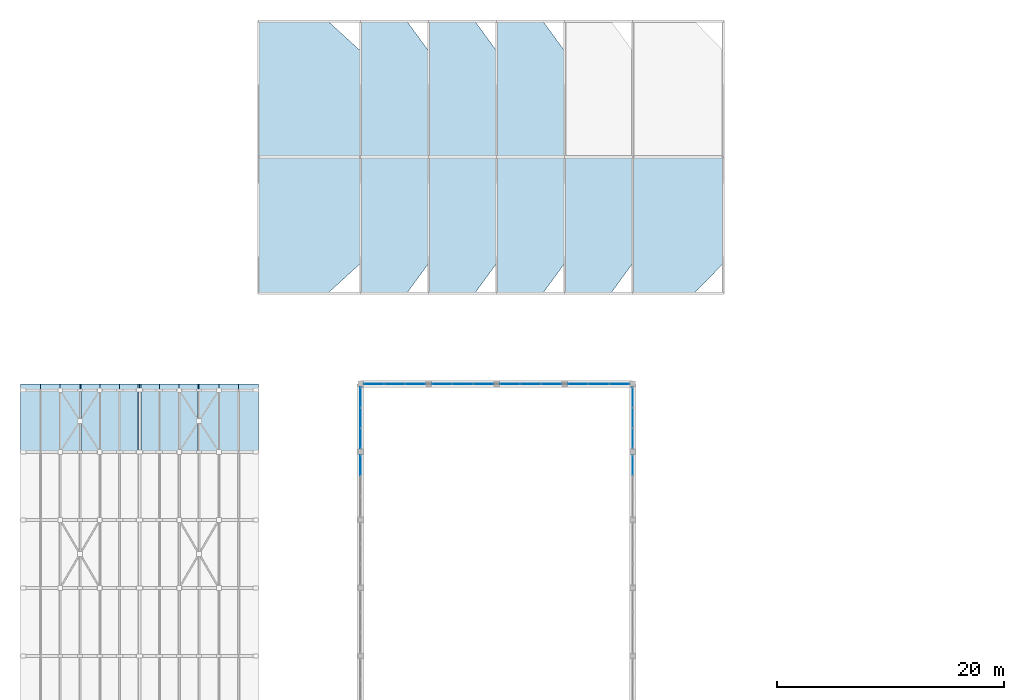
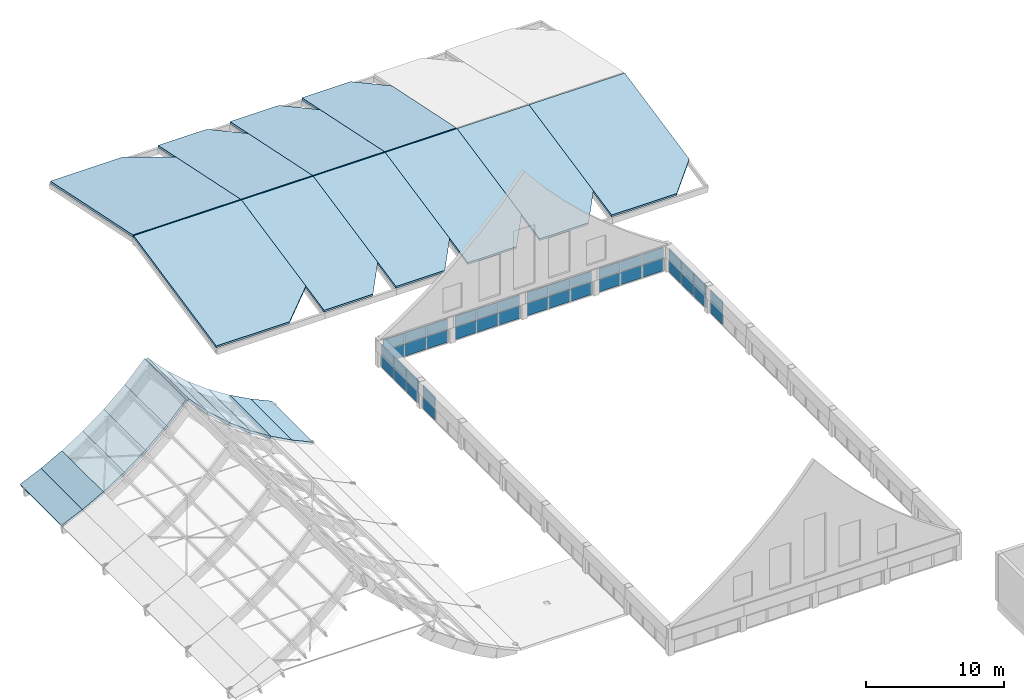
# One storey, part 29 of 45: 40 plates, 22 slabs, 8 elements without a shape of their own.
"""IFC4 building model written with IfcOpenShell, lengths in metres."""

from ifc_helpers import new_model, si_unit, direction, frame, origin, origin_2d, place, context, subcontext, project, spatial, polyline, rectangle, outline, extrude, material, layer, layer_set, type_object, element, aggregate, save


model = new_model("IFC4")

# Units and contexts
model_context = context("Model", 3, precision=1e-05, world=origin(), true_north=direction((0.0, 1.0)))
body_context = subcontext(model_context, "Body", "Model", "MODEL_VIEW")
ifc_project = project(units=[si_unit("LENGTHUNIT", "METRE"), si_unit("AREAUNIT", "SQUARE_METRE"), si_unit("VOLUMEUNIT", "CUBIC_METRE"), si_unit("PLANEANGLEUNIT", "RADIAN"), si_unit("MASSUNIT", "GRAM", prefix="KILO")], contexts=[model_context])

# Site, building, storey
site_placement = place(None, origin())
site = spatial("IfcSite", under=ifc_project, at=site_placement, CompositionType="ELEMENT")
building_placement = place(site_placement, origin())
building = spatial("IfcBuilding", under=site, at=building_placement, Name="Solvane Community Centre", CompositionType="ELEMENT")
storey_placement = place(building_placement, frame((0.0, 0.0, 13.800048828125)))
storey = spatial("IfcBuildingStorey", under=building, at=storey_placement, Name="L03", CompositionType="ELEMENT", Elevation=13.800048828125)

# Slabs
ifc_material_1 = material(Name="Cross-laminated timber C24", Category="wood")
ifc_layer_1 = layer(ifc_material_1, 0.199951171875)
ifc_layer_set_1 = layer_set([ifc_layer_1], Name="Cross-laminated timber C24")
slab_type_1 = type_object("IfcSlabType", Name="Insulated Pitched Roof Deck 200mm", PredefinedType="ROOF", material=ifc_layer_set_1)
slab_1_placement = place(storey_placement, frame((27.0, 86.0, 0.0), z_axis=(3.704487e-06, -0.203949518817, 0.978981406238), x_axis=(0.999999999993, 7.55528e-07, -3.626624e-06)))
element("IfcSlab", 1, at=slab_1_placement, inside=storey, type_object=slab_type_1, Name="Pitched Roof SLB-PRF-V5-S1", PredefinedType="ROOF", context=body_context, shape_type="SweptSolid", body=[
    extrude(outline(polyline([(0.0, 0.0), (6.120117187458006, 0.0), (9.000000000185263, 2.6853346077044704), (8.999999999977765, 12.206512728240448), (3.952128048617437e-11, 12.206512728240448), (0.0, 0.0)])), origin(), (0.0, 0.0, -1.0), 0.199951171875),
])
slab_2_placement = place(storey_placement, frame((27.0, 98.050048828125, 2.489501953125), z_axis=(3.704487e-06, 0.203949518817, 0.978981406238), x_axis=(0.999999999993, -7.55528e-07, -3.626624e-06)))
element("IfcSlab", 2, at=slab_2_placement, inside=storey, type_object=slab_type_1, Name="Pitched Roof SLB-PRF-V5-N1", PredefinedType="ROOF", context=body_context, shape_type="SweptSolid", body=[
    extrude(outline(polyline([(0.0, 0.0), (8.999999999938245, 0.0), (9.000000000145741, 9.521178120535977), (6.120117187418485, 12.206512728240448), (-3.952128048617437e-11, 12.206512728240448), (0.0, 0.0)])), origin(), (0.0, 0.0, -1.0), 0.199951171875),
])
slab_3_placement = place(storey_placement, frame((36.0, 86.0, 0.0), z_axis=(5.556731e-06, -0.203949518815, 0.97898140623), x_axis=(0.999999999985, 1.133293e-06, -5.439936e-06)))
element("IfcSlab", 3, at=slab_3_placement, inside=storey, type_object=slab_type_1, Name="Pitched Roof SLB-PRF-V5-S2", PredefinedType="ROOF", context=body_context, shape_type="SweptSolid", body=[
    extrude(outline(polyline([(0.0, 0.0), (4.0800781249370095, -8.639901498116374e-22), (6.000000000277895, 2.6853346077044704), (5.99999999996665, 12.20651272824045), (5.928192072841452e-11, 12.20651272824045), (0.0, 0.0)])), origin(), (0.0, 0.0, -1.0), 0.199951171875),
])
slab_4_placement = place(storey_placement, frame((36.0, 98.050048828125, 2.489501953125), z_axis=(5.556731e-06, 0.203949518815, 0.97898140623), x_axis=(0.999999999985, -1.133293e-06, -5.439936e-06)))
element("IfcSlab", 4, at=slab_4_placement, inside=storey, type_object=slab_type_1, Name="Pitched Roof SLB-PRF-V5-N2", PredefinedType="ROOF", context=body_context, shape_type="SweptSolid", body=[
    extrude(outline(polyline([(0.0, 0.0), (5.999999999907368, 1.2705494208814505e-21), (6.000000000218614, 9.521178120535978), (4.080078124877728, 12.20651272824045), (-5.928192072841452e-11, 12.20651272824045), (0.0, 0.0)])), origin(), (0.0, 0.0, -1.0), 0.199951171875),
])
slab_5_placement = place(storey_placement, frame((42.0, 86.0, 0.0), z_axis=(5.556731e-06, -0.203949518815, 0.97898140623), x_axis=(0.999999999985, 1.133293e-06, -5.439936e-06)))
element("IfcSlab", 5, at=slab_5_placement, inside=storey, type_object=slab_type_1, Name="Pitched Roof SLB-PRF-V5-S3", PredefinedType="ROOF", context=body_context, shape_type="SweptSolid", body=[
    extrude(outline(polyline([(0.0, 0.0), (4.0800781249370095, -8.639901498116374e-22), (6.000000000277895, 2.6853346077044704), (5.99999999996665, 12.20651272824045), (5.928192072841452e-11, 12.20651272824045), (0.0, 0.0)])), origin(), (0.0, 0.0, -1.0), 0.199951171875),
])
slab_6_placement = place(storey_placement, frame((42.0, 98.050048828125, 2.489501953125), z_axis=(5.556731e-06, 0.203949518815, 0.97898140623), x_axis=(0.999999999985, -1.133293e-06, -5.439936e-06)))
element("IfcSlab", 6, at=slab_6_placement, inside=storey, type_object=slab_type_1, Name="Pitched Roof SLB-PRF-V5-N3", PredefinedType="ROOF", context=body_context, shape_type="SweptSolid", body=[
    extrude(outline(polyline([(0.0, 0.0), (5.999999999907368, 1.2705494208814505e-21), (6.000000000218614, 9.521178120535978), (4.080078124877728, 12.20651272824045), (-5.928192072841452e-11, 12.20651272824045), (0.0, 0.0)])), origin(), (0.0, 0.0, -1.0), 0.199951171875),
])
slab_7_placement = place(storey_placement, frame((48.0, 86.0, 0.0), z_axis=(5.556731e-06, -0.203949518815, 0.97898140623), x_axis=(0.999999999985, 1.133293e-06, -5.439936e-06)))
element("IfcSlab", 7, at=slab_7_placement, inside=storey, type_object=slab_type_1, Name="Pitched Roof SLB-PRF-V5-S4", PredefinedType="ROOF", context=body_context, shape_type="SweptSolid", body=[
    extrude(outline(polyline([(0.0, 0.0), (4.0800781249370095, -8.639901498116374e-22), (6.000000000277895, 2.6853346077044704), (5.99999999996665, 12.20651272824045), (5.928192072841452e-11, 12.20651272824045), (0.0, 0.0)])), origin(), (0.0, 0.0, -1.0), 0.199951171875),
])
slab_8_placement = place(storey_placement, frame((48.0, 98.050048828125, 2.489501953125), z_axis=(5.556731e-06, 0.203949518815, 0.97898140623), x_axis=(0.999999999985, -1.133293e-06, -5.439936e-06)))
element("IfcSlab", 8, at=slab_8_placement, inside=storey, type_object=slab_type_1, Name="Pitched Roof SLB-PRF-V5-N4", PredefinedType="ROOF", context=body_context, shape_type="SweptSolid", body=[
    extrude(outline(polyline([(0.0, 0.0), (5.999999999907368, 1.2705494208814505e-21), (6.000000000218614, 9.521178120535978), (4.080078124877728, 12.20651272824045), (-5.928192072841452e-11, 12.20651272824045), (0.0, 0.0)])), origin(), (0.0, 0.0, -1.0), 0.199951171875),
])
slab_9_placement = place(storey_placement, frame((54.0, 86.0, 0.0), z_axis=(5.556731e-06, -0.203949518815, 0.97898140623), x_axis=(0.999999999985, 1.133293e-06, -5.439936e-06)))
element("IfcSlab", 9, at=slab_9_placement, inside=storey, type_object=slab_type_1, Name="Pitched Roof SLB-PRF-V5-S5", PredefinedType="ROOF", context=body_context, shape_type="SweptSolid", body=[
    extrude(outline(polyline([(0.0, 0.0), (4.0800781249370095, -8.639901498116374e-22), (6.000000000277895, 2.6853346077044704), (5.99999999996665, 12.20651272824045), (5.928192072841452e-11, 12.20651272824045), (0.0, 0.0)])), origin(), (0.0, 0.0, -1.0), 0.199951171875),
])
slab_10_placement = place(storey_placement, frame((60.0, 86.0, 0.0), z_axis=(4.167558e-06, -0.203949518873, 0.978981406225), x_axis=(0.999999999991, 8.49971e-07, -4.079962e-06)))
element("IfcSlab", 10, at=slab_10_placement, inside=storey, type_object=slab_type_1, Name="Pitched Roof SLB-PRF-V5-S6", PredefinedType="ROOF", context=body_context, shape_type="SweptSolid", body=[
    extrude(outline(polyline([(0.0, 0.0), (5.439941406202758, 0.0), (8.000000000208422, 2.685334607704467), (7.999999999974991, 12.20651272824045), (4.446447371369677e-11, 12.20651272824045), (0.0, 0.0)])), origin(), (0.0, 0.0, -1.0), 0.199951171875),
])

# Curtain wall, plates
ifc_material_2 = material(Name="Anodised bronze aluminium AW-6063 T6", Category="aluminium")
ifc_layer_2 = layer(ifc_material_2, 0.179931640625)
ifc_layer_set_2 = layer_set([ifc_layer_2], Name="Anodised bronze aluminium AW-6063 T6")
curtain_wall_type = type_object("IfcCurtainWallType", Name="Hall Translucent Upper Curtain Wall [55x22dm]", PredefinedType="NOTDEFINED", material=ifc_layer_set_2)
curtain_wall_1_placement = place(storey_placement, origin())
curtain_wall_1 = element("IfcCurtainWall", 11, at=curtain_wall_1_placement, inside=storey, type_object=curtain_wall_type, Name="Curtain Wall CW-L03-360_777-129", PredefinedType="NOTDEFINED")
ifc_material_3 = material(Name="Translucent polycarbonate panel")
ifc_layer_3 = layer(ifc_material_3, 0.028076171875)
ifc_layer_set_3 = layer_set([ifc_layer_3], Name="Translucent polycarbonate panel")
plate_type = type_object("IfcPlateType", Name="Translucent Polycarbonate Panel 28mm [55x22dm]", PredefinedType="CURTAIN_PANEL", material=ifc_layer_set_3)
plate_1_placement = place(storey_placement, frame((36.0, 76.81494140625, 0.06005859375), z_axis=(0.0, 0.0, 1.0), x_axis=(0.0, -1.0, 0.0)))
plate_1 = element("IfcPlate", 12, at=plate_1_placement, type_object=plate_type, Name="CW01-55x22 panel 1.1", PredefinedType="CURTAIN_PANEL", context=body_context, shape_type="SweptSolid", body=[
    extrude(rectangle(XDim=1.739990234375, YDim=0.028076171875, at=origin_2d()), origin(), (0.0, 0.0, 1.0), 1.10888671875),
])
plate_2_placement = place(storey_placement, frame((36.0, 76.81494140625, 1.22900390625), z_axis=(0.0, 0.0, 1.0), x_axis=(0.0, -1.0, 0.0)))
plate_2 = element("IfcPlate", 13, at=plate_2_placement, type_object=plate_type, Name="CW01-55x22 panel 1.2", PredefinedType="CURTAIN_PANEL", context=body_context, shape_type="SweptSolid", body=[
    extrude(rectangle(XDim=1.739990234375, YDim=0.028076171875, at=origin_2d()), origin(), (0.0, 0.0, 1.0), 0.89111328125),
])
plate_3_placement = place(storey_placement, frame((36.0, 75.0, 0.06005859375), z_axis=(0.0, 0.0, 1.0), x_axis=(0.0, -1.0, 0.0)))
plate_3 = element("IfcPlate", 14, at=plate_3_placement, type_object=plate_type, Name="CW01-55x22 panel 2.1", PredefinedType="CURTAIN_PANEL", context=body_context, shape_type="SweptSolid", body=[
    extrude(rectangle(XDim=1.77001953125, YDim=0.028076171875, at=origin_2d()), origin(), (0.0, 0.0, 1.0), 1.10888671875),
])
plate_4_placement = place(storey_placement, frame((36.0, 75.0, 1.22900390625), z_axis=(0.0, 0.0, 1.0), x_axis=(0.0, -1.0, 0.0)))
plate_4 = element("IfcPlate", 15, at=plate_4_placement, type_object=plate_type, Name="CW01-55x22 panel 2.2", PredefinedType="CURTAIN_PANEL", context=body_context, shape_type="SweptSolid", body=[
    extrude(rectangle(XDim=1.77001953125, YDim=0.028076171875, at=origin_2d()), origin(), (0.0, 0.0, 1.0), 0.89111328125),
])
plate_5_placement = place(storey_placement, frame((36.0, 73.18505859375, 0.06005859375), z_axis=(0.0, 0.0, 1.0), x_axis=(0.0, -1.0, 0.0)))
plate_5 = element("IfcPlate", 16, at=plate_5_placement, type_object=plate_type, Name="CW01-55x22 panel 3.1", PredefinedType="CURTAIN_PANEL", context=body_context, shape_type="SweptSolid", body=[
    extrude(rectangle(XDim=1.739990234375, YDim=0.028076171875, at=origin_2d()), origin(), (0.0, 0.0, 1.0), 1.10888671875),
])
plate_6_placement = place(storey_placement, frame((36.0, 73.18505859375, 1.22900390625), z_axis=(0.0, 0.0, 1.0), x_axis=(0.0, -1.0, 0.0)))
plate_6 = element("IfcPlate", 17, at=plate_6_placement, type_object=plate_type, Name="CW01-55x22 panel 3.2", PredefinedType="CURTAIN_PANEL", context=body_context, shape_type="SweptSolid", body=[
    extrude(rectangle(XDim=1.739990234375, YDim=0.028076171875, at=origin_2d()), origin(), (0.0, 0.0, 1.0), 0.89111328125),
])
aggregate(curtain_wall_1, [plate_1, plate_2, plate_3, plate_4, plate_5, plate_6])

curtain_wall_2_placement = place(storey_placement, origin())
curtain_wall_2 = element("IfcCurtainWall", 18, at=curtain_wall_2_placement, inside=storey, type_object=curtain_wall_type, Name="Curtain Wall CW-L03-360_717-130", PredefinedType="NOTDEFINED")
plate_7_placement = place(storey_placement, frame((36.0, 70.81494140625, 0.06005859375), z_axis=(0.0, 0.0, 1.0), x_axis=(0.0, -1.0, 0.0)))
plate_7 = element("IfcPlate", 19, at=plate_7_placement, type_object=plate_type, Name="CW01-55x22 panel 1.1", PredefinedType="CURTAIN_PANEL", context=body_context, shape_type="SweptSolid", body=[
    extrude(rectangle(XDim=1.739990234375, YDim=0.028076171875, at=origin_2d()), origin(), (0.0, 0.0, 1.0), 1.10888671875),
])
plate_8_placement = place(storey_placement, frame((36.0, 70.81494140625, 1.22900390625), z_axis=(0.0, 0.0, 1.0), x_axis=(0.0, -1.0, 0.0)))
plate_8 = element("IfcPlate", 20, at=plate_8_placement, type_object=plate_type, Name="CW01-55x22 panel 1.2", PredefinedType="CURTAIN_PANEL", context=body_context, shape_type="SweptSolid", body=[
    extrude(rectangle(XDim=1.739990234375, YDim=0.028076171875, at=origin_2d()), origin(), (0.0, 0.0, 1.0), 0.89111328125),
])
aggregate(curtain_wall_2, [plate_7, plate_8])

curtain_wall_3_placement = place(storey_placement, origin())
curtain_wall_3 = element("IfcCurtainWall", 21, at=curtain_wall_3_placement, inside=storey, type_object=curtain_wall_type, Name="Curtain Wall CW-L03-600_663-148", PredefinedType="NOTDEFINED")
plate_9_placement = place(storey_placement, frame((60.0, 70.81494140625, 0.06005859375), z_axis=(0.0, 0.0, 1.0), x_axis=(0.0, 1.0, 0.0)))
plate_9 = element("IfcPlate", 22, at=plate_9_placement, type_object=plate_type, Name="CW01-55x22 panel 3.1", PredefinedType="CURTAIN_PANEL", context=body_context, shape_type="SweptSolid", body=[
    extrude(rectangle(XDim=1.739990234375, YDim=0.028076171875, at=origin_2d()), origin(), (0.0, 0.0, 1.0), 1.10888671875),
])
plate_10_placement = place(storey_placement, frame((60.0, 70.81494140625, 1.22900390625), z_axis=(0.0, 0.0, 1.0), x_axis=(0.0, 1.0, 0.0)))
plate_10 = element("IfcPlate", 23, at=plate_10_placement, type_object=plate_type, Name="CW01-55x22 panel 3.2", PredefinedType="CURTAIN_PANEL", context=body_context, shape_type="SweptSolid", body=[
    extrude(rectangle(XDim=1.739990234375, YDim=0.028076171875, at=origin_2d()), origin(), (0.0, 0.0, 1.0), 0.89111328125),
])
aggregate(curtain_wall_3, [plate_9, plate_10])

curtain_wall_4_placement = place(storey_placement, origin())
curtain_wall_4 = element("IfcCurtainWall", 24, at=curtain_wall_4_placement, inside=storey, type_object=curtain_wall_type, Name="Curtain Wall CW-L03-600_723-149", PredefinedType="NOTDEFINED")
plate_11_placement = place(storey_placement, frame((60.0, 73.18505859375, 0.06005859375), z_axis=(0.0, 0.0, 1.0), x_axis=(0.0, 1.0, 0.0)))
plate_11 = element("IfcPlate", 25, at=plate_11_placement, type_object=plate_type, Name="CW01-55x22 panel 1.1", PredefinedType="CURTAIN_PANEL", context=body_context, shape_type="SweptSolid", body=[
    extrude(rectangle(XDim=1.739990234375, YDim=0.028076171875, at=origin_2d()), origin(), (0.0, 0.0, 1.0), 1.10888671875),
])
plate_12_placement = place(storey_placement, frame((60.0, 73.18505859375, 1.22900390625), z_axis=(0.0, 0.0, 1.0), x_axis=(0.0, 1.0, 0.0)))
plate_12 = element("IfcPlate", 26, at=plate_12_placement, type_object=plate_type, Name="CW01-55x22 panel 1.2", PredefinedType="CURTAIN_PANEL", context=body_context, shape_type="SweptSolid", body=[
    extrude(rectangle(XDim=1.739990234375, YDim=0.028076171875, at=origin_2d()), origin(), (0.0, 0.0, 1.0), 0.89111328125),
])
plate_13_placement = place(storey_placement, frame((60.0, 75.0, 0.06005859375), z_axis=(0.0, 0.0, 1.0), x_axis=(0.0, 1.0, 0.0)))
plate_13 = element("IfcPlate", 27, at=plate_13_placement, type_object=plate_type, Name="CW01-55x22 panel 2.1", PredefinedType="CURTAIN_PANEL", context=body_context, shape_type="SweptSolid", body=[
    extrude(rectangle(XDim=1.77001953125, YDim=0.028076171875, at=origin_2d()), origin(), (0.0, 0.0, 1.0), 1.10888671875),
])
plate_14_placement = place(storey_placement, frame((60.0, 75.0, 1.22900390625), z_axis=(0.0, 0.0, 1.0), x_axis=(0.0, 1.0, 0.0)))
plate_14 = element("IfcPlate", 28, at=plate_14_placement, type_object=plate_type, Name="CW01-55x22 panel 2.2", PredefinedType="CURTAIN_PANEL", context=body_context, shape_type="SweptSolid", body=[
    extrude(rectangle(XDim=1.77001953125, YDim=0.028076171875, at=origin_2d()), origin(), (0.0, 0.0, 1.0), 0.89111328125),
])
plate_15_placement = place(storey_placement, frame((60.0, 76.81494140625, 0.06005859375), z_axis=(0.0, 0.0, 1.0), x_axis=(0.0, 1.0, 0.0)))
plate_15 = element("IfcPlate", 29, at=plate_15_placement, type_object=plate_type, Name="CW01-55x22 panel 3.1", PredefinedType="CURTAIN_PANEL", context=body_context, shape_type="SweptSolid", body=[
    extrude(rectangle(XDim=1.739990234375, YDim=0.028076171875, at=origin_2d()), origin(), (0.0, 0.0, 1.0), 1.10888671875),
])
plate_16_placement = place(storey_placement, frame((60.0, 76.81494140625, 1.22900390625), z_axis=(0.0, 0.0, 1.0), x_axis=(0.0, 1.0, 0.0)))
plate_16 = element("IfcPlate", 30, at=plate_16_placement, type_object=plate_type, Name="CW01-55x22 panel 3.2", PredefinedType="CURTAIN_PANEL", context=body_context, shape_type="SweptSolid", body=[
    extrude(rectangle(XDim=1.739990234375, YDim=0.028076171875, at=origin_2d()), origin(), (0.0, 0.0, 1.0), 0.89111328125),
])
aggregate(curtain_wall_4, [plate_11, plate_12, plate_13, plate_14, plate_15, plate_16])

curtain_wall_5_placement = place(storey_placement, origin())
curtain_wall_5 = element("IfcCurtainWall", 31, at=curtain_wall_5_placement, inside=storey, type_object=curtain_wall_type, Name="Curtain Wall CW-L03-363_780-162", PredefinedType="NOTDEFINED")
plate_17_placement = place(storey_placement, frame((37.18505859375, 78.0, 0.06005859375), z_axis=(0.0, 0.0, 1.0), x_axis=(1.0, 0.0, 0.0)))
plate_17 = element("IfcPlate", 32, at=plate_17_placement, type_object=plate_type, Name="CW01-55x22 panel 1.1", PredefinedType="CURTAIN_PANEL", context=body_context, shape_type="SweptSolid", body=[
    extrude(rectangle(XDim=1.739990234375, YDim=0.028076171875, at=origin_2d()), origin(), (0.0, 0.0, 1.0), 1.10888671875),
])
plate_18_placement = place(storey_placement, frame((37.18505859375, 78.0, 1.22900390625), z_axis=(0.0, 0.0, 1.0), x_axis=(1.0, 0.0, 0.0)))
plate_18 = element("IfcPlate", 33, at=plate_18_placement, type_object=plate_type, Name="CW01-55x22 panel 1.2", PredefinedType="CURTAIN_PANEL", context=body_context, shape_type="SweptSolid", body=[
    extrude(rectangle(XDim=1.739990234375, YDim=0.028076171875, at=origin_2d()), origin(), (0.0, 0.0, 1.0), 0.89111328125),
])
plate_19_placement = place(storey_placement, frame((39.0, 78.0, 0.06005859375), z_axis=(0.0, 0.0, 1.0), x_axis=(1.0, 0.0, 0.0)))
plate_19 = element("IfcPlate", 34, at=plate_19_placement, type_object=plate_type, Name="CW01-55x22 panel 2.1", PredefinedType="CURTAIN_PANEL", context=body_context, shape_type="SweptSolid", body=[
    extrude(rectangle(XDim=1.77001953125, YDim=0.028076171875, at=origin_2d()), origin(), (0.0, 0.0, 1.0), 1.10888671875),
])
plate_20_placement = place(storey_placement, frame((39.0, 78.0, 1.22900390625), z_axis=(0.0, 0.0, 1.0), x_axis=(1.0, 0.0, 0.0)))
plate_20 = element("IfcPlate", 35, at=plate_20_placement, type_object=plate_type, Name="CW01-55x22 panel 2.2", PredefinedType="CURTAIN_PANEL", context=body_context, shape_type="SweptSolid", body=[
    extrude(rectangle(XDim=1.77001953125, YDim=0.028076171875, at=origin_2d()), origin(), (0.0, 0.0, 1.0), 0.89111328125),
])
plate_21_placement = place(storey_placement, frame((40.81494140625, 78.0, 0.06005859375), z_axis=(0.0, 0.0, 1.0), x_axis=(1.0, 0.0, 0.0)))
plate_21 = element("IfcPlate", 36, at=plate_21_placement, type_object=plate_type, Name="CW01-55x22 panel 3.1", PredefinedType="CURTAIN_PANEL", context=body_context, shape_type="SweptSolid", body=[
    extrude(rectangle(XDim=1.739990234375, YDim=0.028076171875, at=origin_2d()), origin(), (0.0, 0.0, 1.0), 1.10888671875),
])
plate_22_placement = place(storey_placement, frame((40.81494140625, 78.0, 1.22900390625), z_axis=(0.0, 0.0, 1.0), x_axis=(1.0, 0.0, 0.0)))
plate_22 = element("IfcPlate", 37, at=plate_22_placement, type_object=plate_type, Name="CW01-55x22 panel 3.2", PredefinedType="CURTAIN_PANEL", context=body_context, shape_type="SweptSolid", body=[
    extrude(rectangle(XDim=1.739990234375, YDim=0.028076171875, at=origin_2d()), origin(), (0.0, 0.0, 1.0), 0.89111328125),
])
aggregate(curtain_wall_5, [plate_17, plate_18, plate_19, plate_20, plate_21, plate_22])

curtain_wall_6_placement = place(storey_placement, origin())
curtain_wall_6 = element("IfcCurtainWall", 38, at=curtain_wall_6_placement, inside=storey, type_object=curtain_wall_type, Name="Curtain Wall CW-L03-423_780-163", PredefinedType="NOTDEFINED")
plate_23_placement = place(storey_placement, frame((43.18505859375, 78.0, 0.06005859375), z_axis=(0.0, 0.0, 1.0), x_axis=(1.0, 0.0, 0.0)))
plate_23 = element("IfcPlate", 39, at=plate_23_placement, type_object=plate_type, Name="CW01-55x22 panel 1.1", PredefinedType="CURTAIN_PANEL", context=body_context, shape_type="SweptSolid", body=[
    extrude(rectangle(XDim=1.739990234375, YDim=0.028076171875, at=origin_2d()), origin(), (0.0, 0.0, 1.0), 1.10888671875),
])
plate_24_placement = place(storey_placement, frame((43.18505859375, 78.0, 1.22900390625), z_axis=(0.0, 0.0, 1.0), x_axis=(1.0, 0.0, 0.0)))
plate_24 = element("IfcPlate", 40, at=plate_24_placement, type_object=plate_type, Name="CW01-55x22 panel 1.2", PredefinedType="CURTAIN_PANEL", context=body_context, shape_type="SweptSolid", body=[
    extrude(rectangle(XDim=1.739990234375, YDim=0.028076171875, at=origin_2d()), origin(), (0.0, 0.0, 1.0), 0.89111328125),
])
plate_25_placement = place(storey_placement, frame((45.0, 78.0, 0.06005859375), z_axis=(0.0, 0.0, 1.0), x_axis=(1.0, 0.0, 0.0)))
plate_25 = element("IfcPlate", 41, at=plate_25_placement, type_object=plate_type, Name="CW01-55x22 panel 2.1", PredefinedType="CURTAIN_PANEL", context=body_context, shape_type="SweptSolid", body=[
    extrude(rectangle(XDim=1.77001953125, YDim=0.028076171875, at=origin_2d()), origin(), (0.0, 0.0, 1.0), 1.10888671875),
])
plate_26_placement = place(storey_placement, frame((45.0, 78.0, 1.22900390625), z_axis=(0.0, 0.0, 1.0), x_axis=(1.0, 0.0, 0.0)))
plate_26 = element("IfcPlate", 42, at=plate_26_placement, type_object=plate_type, Name="CW01-55x22 panel 2.2", PredefinedType="CURTAIN_PANEL", context=body_context, shape_type="SweptSolid", body=[
    extrude(rectangle(XDim=1.77001953125, YDim=0.028076171875, at=origin_2d()), origin(), (0.0, 0.0, 1.0), 0.89111328125),
])
plate_27_placement = place(storey_placement, frame((46.81494140625, 78.0, 0.06005859375), z_axis=(0.0, 0.0, 1.0), x_axis=(1.0, 0.0, 0.0)))
plate_27 = element("IfcPlate", 43, at=plate_27_placement, type_object=plate_type, Name="CW01-55x22 panel 3.1", PredefinedType="CURTAIN_PANEL", context=body_context, shape_type="SweptSolid", body=[
    extrude(rectangle(XDim=1.739990234375, YDim=0.028076171875, at=origin_2d()), origin(), (0.0, 0.0, 1.0), 1.10888671875),
])
plate_28_placement = place(storey_placement, frame((46.81494140625, 78.0, 1.22900390625), z_axis=(0.0, 0.0, 1.0), x_axis=(1.0, 0.0, 0.0)))
plate_28 = element("IfcPlate", 44, at=plate_28_placement, type_object=plate_type, Name="CW01-55x22 panel 3.2", PredefinedType="CURTAIN_PANEL", context=body_context, shape_type="SweptSolid", body=[
    extrude(rectangle(XDim=1.739990234375, YDim=0.028076171875, at=origin_2d()), origin(), (0.0, 0.0, 1.0), 0.89111328125),
])
aggregate(curtain_wall_6, [plate_23, plate_24, plate_25, plate_26, plate_27, plate_28])

curtain_wall_7_placement = place(storey_placement, origin())
curtain_wall_7 = element("IfcCurtainWall", 45, at=curtain_wall_7_placement, inside=storey, type_object=curtain_wall_type, Name="Curtain Wall CW-L03-483_780-164", PredefinedType="NOTDEFINED")
plate_29_placement = place(storey_placement, frame((49.18505859375, 78.0, 0.06005859375), z_axis=(0.0, 0.0, 1.0), x_axis=(1.0, 0.0, 0.0)))
plate_29 = element("IfcPlate", 46, at=plate_29_placement, type_object=plate_type, Name="CW01-55x22 panel 1.1", PredefinedType="CURTAIN_PANEL", context=body_context, shape_type="SweptSolid", body=[
    extrude(rectangle(XDim=1.739990234375, YDim=0.028076171875, at=origin_2d()), origin(), (0.0, 0.0, 1.0), 1.10888671875),
])
plate_30_placement = place(storey_placement, frame((49.18505859375, 78.0, 1.22900390625), z_axis=(0.0, 0.0, 1.0), x_axis=(1.0, 0.0, 0.0)))
plate_30 = element("IfcPlate", 47, at=plate_30_placement, type_object=plate_type, Name="CW01-55x22 panel 1.2", PredefinedType="CURTAIN_PANEL", context=body_context, shape_type="SweptSolid", body=[
    extrude(rectangle(XDim=1.739990234375, YDim=0.028076171875, at=origin_2d()), origin(), (0.0, 0.0, 1.0), 0.89111328125),
])
plate_31_placement = place(storey_placement, frame((51.0, 78.0, 0.06005859375), z_axis=(0.0, 0.0, 1.0), x_axis=(1.0, 0.0, 0.0)))
plate_31 = element("IfcPlate", 48, at=plate_31_placement, type_object=plate_type, Name="CW01-55x22 panel 2.1", PredefinedType="CURTAIN_PANEL", context=body_context, shape_type="SweptSolid", body=[
    extrude(rectangle(XDim=1.77001953125, YDim=0.028076171875, at=origin_2d()), origin(), (0.0, 0.0, 1.0), 1.10888671875),
])
plate_32_placement = place(storey_placement, frame((51.0, 78.0, 1.22900390625), z_axis=(0.0, 0.0, 1.0), x_axis=(1.0, 0.0, 0.0)))
plate_32 = element("IfcPlate", 49, at=plate_32_placement, type_object=plate_type, Name="CW01-55x22 panel 2.2", PredefinedType="CURTAIN_PANEL", context=body_context, shape_type="SweptSolid", body=[
    extrude(rectangle(XDim=1.77001953125, YDim=0.028076171875, at=origin_2d()), origin(), (0.0, 0.0, 1.0), 0.89111328125),
])
plate_33_placement = place(storey_placement, frame((52.81494140625, 78.0, 0.06005859375), z_axis=(0.0, 0.0, 1.0), x_axis=(1.0, 0.0, 0.0)))
plate_33 = element("IfcPlate", 50, at=plate_33_placement, type_object=plate_type, Name="CW01-55x22 panel 3.1", PredefinedType="CURTAIN_PANEL", context=body_context, shape_type="SweptSolid", body=[
    extrude(rectangle(XDim=1.739990234375, YDim=0.028076171875, at=origin_2d()), origin(), (0.0, 0.0, 1.0), 1.10888671875),
])
plate_34_placement = place(storey_placement, frame((52.81494140625, 78.0, 1.22900390625), z_axis=(0.0, 0.0, 1.0), x_axis=(1.0, 0.0, 0.0)))
plate_34 = element("IfcPlate", 51, at=plate_34_placement, type_object=plate_type, Name="CW01-55x22 panel 3.2", PredefinedType="CURTAIN_PANEL", context=body_context, shape_type="SweptSolid", body=[
    extrude(rectangle(XDim=1.739990234375, YDim=0.028076171875, at=origin_2d()), origin(), (0.0, 0.0, 1.0), 0.89111328125),
])
aggregate(curtain_wall_7, [plate_29, plate_30, plate_31, plate_32, plate_33, plate_34])

curtain_wall_8_placement = place(storey_placement, origin())
curtain_wall_8 = element("IfcCurtainWall", 52, at=curtain_wall_8_placement, inside=storey, type_object=curtain_wall_type, Name="Curtain Wall CW-L03-543_780-165", PredefinedType="NOTDEFINED")
plate_35_placement = place(storey_placement, frame((55.18505859375, 78.0, 0.06005859375), z_axis=(0.0, 0.0, 1.0), x_axis=(1.0, 0.0, 0.0)))
plate_35 = element("IfcPlate", 53, at=plate_35_placement, type_object=plate_type, Name="CW01-55x22 panel 1.1", PredefinedType="CURTAIN_PANEL", context=body_context, shape_type="SweptSolid", body=[
    extrude(rectangle(XDim=1.739990234375, YDim=0.028076171875, at=origin_2d()), origin(), (0.0, 0.0, 1.0), 1.10888671875),
])
plate_36_placement = place(storey_placement, frame((55.18505859375, 78.0, 1.22900390625), z_axis=(0.0, 0.0, 1.0), x_axis=(1.0, 0.0, 0.0)))
plate_36 = element("IfcPlate", 54, at=plate_36_placement, type_object=plate_type, Name="CW01-55x22 panel 1.2", PredefinedType="CURTAIN_PANEL", context=body_context, shape_type="SweptSolid", body=[
    extrude(rectangle(XDim=1.739990234375, YDim=0.028076171875, at=origin_2d()), origin(), (0.0, 0.0, 1.0), 0.89111328125),
])
plate_37_placement = place(storey_placement, frame((57.0, 78.0, 0.06005859375), z_axis=(0.0, 0.0, 1.0), x_axis=(1.0, 0.0, 0.0)))
plate_37 = element("IfcPlate", 55, at=plate_37_placement, type_object=plate_type, Name="CW01-55x22 panel 2.1", PredefinedType="CURTAIN_PANEL", context=body_context, shape_type="SweptSolid", body=[
    extrude(rectangle(XDim=1.77001953125, YDim=0.028076171875, at=origin_2d()), origin(), (0.0, 0.0, 1.0), 1.10888671875),
])
plate_38_placement = place(storey_placement, frame((57.0, 78.0, 1.22900390625), z_axis=(0.0, 0.0, 1.0), x_axis=(1.0, 0.0, 0.0)))
plate_38 = element("IfcPlate", 56, at=plate_38_placement, type_object=plate_type, Name="CW01-55x22 panel 2.2", PredefinedType="CURTAIN_PANEL", context=body_context, shape_type="SweptSolid", body=[
    extrude(rectangle(XDim=1.77001953125, YDim=0.028076171875, at=origin_2d()), origin(), (0.0, 0.0, 1.0), 0.89111328125),
])
plate_39_placement = place(storey_placement, frame((58.81494140625, 78.0, 0.06005859375), z_axis=(0.0, 0.0, 1.0), x_axis=(1.0, 0.0, 0.0)))
plate_39 = element("IfcPlate", 57, at=plate_39_placement, type_object=plate_type, Name="CW01-55x22 panel 3.1", PredefinedType="CURTAIN_PANEL", context=body_context, shape_type="SweptSolid", body=[
    extrude(rectangle(XDim=1.739990234375, YDim=0.028076171875, at=origin_2d()), origin(), (0.0, 0.0, 1.0), 1.10888671875),
])
plate_40_placement = place(storey_placement, frame((58.81494140625, 78.0, 1.22900390625), z_axis=(0.0, 0.0, 1.0), x_axis=(1.0, 0.0, 0.0)))
plate_40 = element("IfcPlate", 58, at=plate_40_placement, type_object=plate_type, Name="CW01-55x22 panel 3.2", PredefinedType="CURTAIN_PANEL", context=body_context, shape_type="SweptSolid", body=[
    extrude(rectangle(XDim=1.739990234375, YDim=0.028076171875, at=origin_2d()), origin(), (0.0, 0.0, 1.0), 0.89111328125),
])
aggregate(curtain_wall_8, [plate_35, plate_36, plate_37, plate_38, plate_39, plate_40])

# Slabs
ifc_layer_4 = layer(ifc_material_1, 0.199951171875)
ifc_layer_set_4 = layer_set([ifc_layer_4], Name="Cross-laminated timber C24")
slab_type_2 = type_object("IfcSlabType", Name="V2 Vault Roof Strip Slope 1 200mm", PredefinedType="ROOF", material=ifc_layer_set_4)
for number, where, z_axis, x_axis, name in (
    (59, (6.0, 72.0, 0.0), (-0.414415067456, 0.0, 0.910087991276), (0.910087991276, 0.0, 0.414415067456), "V2 Vault Roof Strip L1 Bay 6"),
    (60, (25.25, 72.0, 0.796875), (0.414415067456, 0.0, 0.910087991276), (0.910087991276, 0.0, -0.414415067456), "V2 Vault Roof Strip R6 Bay 6"),
):
    element("IfcSlab", number, at=place(storey_placement, frame(where, z_axis=z_axis, x_axis=x_axis)), inside=storey, type_object=slab_type_2, Name=name, PredefinedType="ROOF", context=body_context, shape_type="SweptSolid", body=[
        extrude(outline(polyline([(0.0, 0.0), (1.9228909916126293, 0.0), (1.9228909916126293, 6.0), (0.0, 6.0), (0.0, 0.0)])), origin(), (0.0, 0.0, -1.0), 0.199951171875),
    ])
ifc_layer_5 = layer(ifc_material_1, 0.199951171875)
ifc_layer_set_5 = layer_set([ifc_layer_5], Name="Cross-laminated timber C24")
slab_type_3 = type_object("IfcSlabType", Name="V2 Vault Roof Strip Slope 2 200mm", PredefinedType="ROOF", material=ifc_layer_set_5)
for number, where, z_axis, x_axis, name in (
    (61, (7.75, 72.0, 0.796875), (-0.476978210577, 0.0, 0.87891511913), (0.87891511913, 0.0, 0.476978210577), "V2 Vault Roof Strip L2 Bay 6"),
    (62, (23.5, 72.0, 1.74658203125), (0.476978210577, 0.0, 0.87891511913), (0.87891511913, 0.0, -0.476978210577), "V2 Vault Roof Strip R5 Bay 6"),
):
    element("IfcSlab", number, at=place(storey_placement, frame(where, z_axis=z_axis, x_axis=x_axis)), inside=storey, type_object=slab_type_3, Name=name, PredefinedType="ROOF", context=body_context, shape_type="SweptSolid", body=[
        extrude(outline(polyline([(0.0, 0.0), (1.9910910188149833, 0.0), (1.9910910188149833, 6.0), (0.0, 6.0), (0.0, 0.0)])), origin(), (0.0, 0.0, -1.0), 0.199951171875),
    ])
ifc_layer_6 = layer(ifc_material_1, 0.199951171875)
ifc_layer_set_6 = layer_set([ifc_layer_6], Name="Cross-laminated timber C24")
slab_type_4 = type_object("IfcSlabType", Name="V2 Vault Roof Strip Slope 3 200mm", PredefinedType="ROOF", material=ifc_layer_set_6)
for number, where, z_axis, x_axis, name in (
    (63, (9.5, 72.0, 1.74658203125), (-0.539510271905, 0.0, 0.841979017856), (0.841979017856, 0.0, 0.539510271905), "V2 Vault Roof Strip L3 Bay 6"),
    (64, (21.75, 72.0, 2.867919921875), (0.539510271905, 0.0, 0.841979017856), (0.841979017856, 0.0, -0.539510271905), "V2 Vault Roof Strip R4 Bay 6"),
):
    element("IfcSlab", number, at=place(storey_placement, frame(where, z_axis=z_axis, x_axis=x_axis)), inside=storey, type_object=slab_type_4, Name=name, PredefinedType="ROOF", context=body_context, shape_type="SweptSolid", body=[
        extrude(outline(polyline([(0.0, 0.0), (2.0784365915156817, 0.0), (2.0784365915156817, 6.0), (0.0, 6.0), (0.0, 0.0)])), origin(), (0.0, 0.0, -1.0), 0.199951171875),
    ])
ifc_layer_7 = layer(ifc_material_1, 0.199951171875)
ifc_layer_set_7 = layer_set([ifc_layer_7], Name="Cross-laminated timber C24")
slab_type_5 = type_object("IfcSlabType", Name="V2 Vault Roof Strip Slope 4 200mm", PredefinedType="ROOF", material=ifc_layer_set_7)
for number, where, z_axis, x_axis, name in (
    (65, (11.25, 72.0, 2.867919921875), (-0.602136409496, 0.0, 0.798393226649), (0.798393226649, 0.0, 0.602136409496), "V2 Vault Roof Strip L4 Bay 6"),
    (66, (20.0, 72.0, 4.187744140625), (0.602136409496, 0.0, 0.798393226649), (0.798393226649, 0.0, -0.602136409496), "V2 Vault Roof Strip R3 Bay 6"),
):
    element("IfcSlab", number, at=place(storey_placement, frame(where, z_axis=z_axis, x_axis=x_axis)), inside=storey, type_object=slab_type_5, Name=name, PredefinedType="ROOF", context=body_context, shape_type="SweptSolid", body=[
        extrude(outline(polyline([(0.0, 0.0), (2.1919023628800276, 0.0), (2.1919023628800276, 6.0), (0.0, 6.0), (0.0, 0.0)])), origin(), (0.0, 0.0, -1.0), 0.199951171875),
    ])
ifc_layer_8 = layer(ifc_material_1, 0.199951171875)
ifc_layer_set_8 = layer_set([ifc_layer_8], Name="Cross-laminated timber C24")
slab_type_6 = type_object("IfcSlabType", Name="V2 Vault Roof Strip Slope 5 200mm", PredefinedType="ROOF", material=ifc_layer_set_8)
for number, where, z_axis, x_axis, name in (
    (67, (13.0, 72.0, 4.187744140625), (-0.66473896055, 0.0, 0.747075708564), (0.747075708564, 0.0, 0.66473896055), "V2 Vault Roof Strip L5 Bay 6"),
    (68, (18.25, 72.0, 5.744873046875), (0.66473896055, 0.0, 0.747075708564), (0.747075708564, 0.0, -0.66473896055), "V2 Vault Roof Strip R2 Bay 6"),
):
    element("IfcSlab", number, at=place(storey_placement, frame(where, z_axis=z_axis, x_axis=x_axis)), inside=storey, type_object=slab_type_6, Name=name, PredefinedType="ROOF", context=body_context, shape_type="SweptSolid", body=[
        extrude(outline(polyline([(0.0, 0.0), (2.3424667405705724, 0.0), (2.3424667405705724, 6.0), (0.0, 6.0), (0.0, 0.0)])), origin(), (0.0, 0.0, -1.0), 0.199951171875),
    ])
ifc_layer_9 = layer(ifc_material_1, 0.199951171875)
ifc_layer_set_9 = layer_set([ifc_layer_9], Name="Cross-laminated timber C24")
slab_type_7 = type_object("IfcSlabType", Name="V2 Vault Roof Strip Slope 6 200mm", PredefinedType="ROOF", material=ifc_layer_set_9)
for number, where, z_axis, x_axis, name in (
    (69, (14.75, 72.0, 5.744873046875), (-0.727414948892, 0.0, 0.686197852028), (0.686197852028, 0.0, 0.727414948892), "V2 Vault Roof Strip L6 Bay 6"),
    (70, (16.6201171875, 72.0, 7.47265625), (0.727414948892, 0.0, 0.686197852028), (0.686197852028, 0.0, -0.727414948892), "V2 Vault Roof Strip R1 Bay 6"),
):
    element("IfcSlab", number, at=place(storey_placement, frame(where, z_axis=z_axis, x_axis=x_axis)), inside=storey, type_object=slab_type_7, Name=name, PredefinedType="ROOF", context=body_context, shape_type="SweptSolid", body=[
        extrude(outline(polyline([(0.0, 0.0), (2.3752374153932054, 0.0), (2.3752374153932054, 6.0), (0.0, 6.0), (0.0, 0.0)])), origin(), (0.0, 0.0, -1.0), 0.199951171875),
    ])

save(model, "model.ifc")
